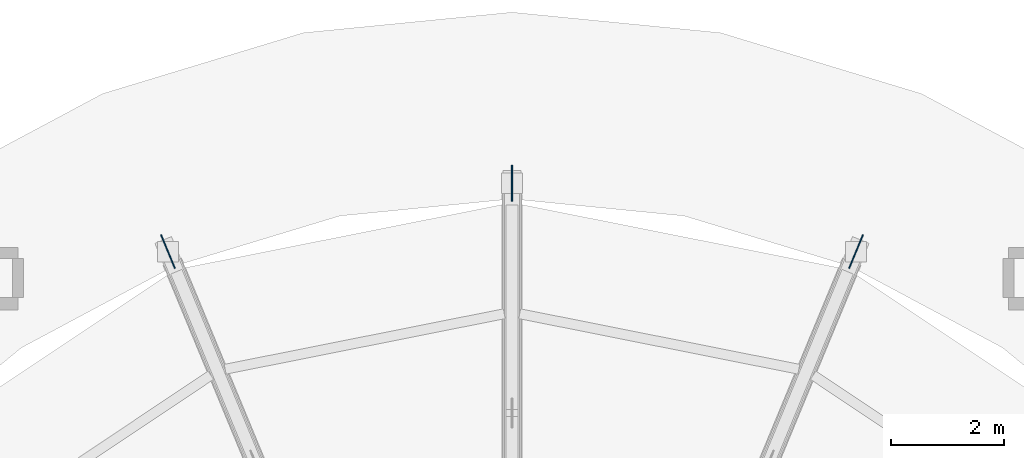
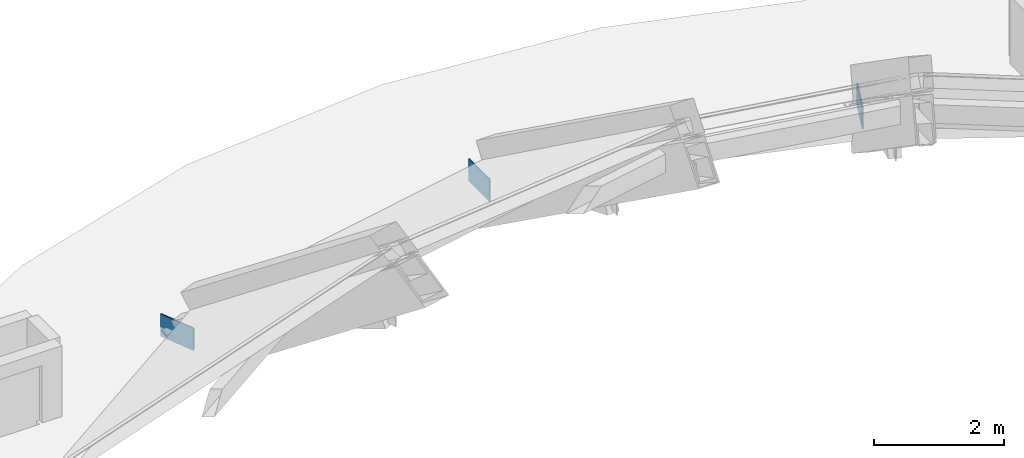
# One storey, part 30 of 58: 3 plates.
"""IFC4 building model written with IfcOpenShell, lengths in metres."""

from ifc_helpers import new_model, si_unit, direction, frame, origin, origin_2d, place, context, subcontext, project, spatial, rectangle, extrude, material, layer, layer_set, type_object, element, save


model = new_model("IFC4")

# Units and contexts
model_context = context("Model", 3, precision=1e-05, world=origin(), true_north=direction((0.0, 1.0)))
body_context = subcontext(model_context, "Body", "Model", "MODEL_VIEW")
ifc_project = project(units=[si_unit("LENGTHUNIT", "METRE"), si_unit("AREAUNIT", "SQUARE_METRE"), si_unit("VOLUMEUNIT", "CUBIC_METRE"), si_unit("PLANEANGLEUNIT", "RADIAN"), si_unit("MASSUNIT", "GRAM", prefix="KILO")], contexts=[model_context])

# Site, building, storey
site_placement = place(None, origin())
site = spatial("IfcSite", under=ifc_project, at=site_placement, CompositionType="ELEMENT")
building_placement = place(site_placement, origin())
building = spatial("IfcBuilding", under=site, at=building_placement, Name="Aldenvaro Health Centre", CompositionType="ELEMENT")
storey_placement = place(building_placement, frame((0.0, 0.0, 8.75)))
storey = spatial("IfcBuildingStorey", under=building, at=storey_placement, Name="L02", CompositionType="ELEMENT", Elevation=8.75)

# Plates
ifc_material = material(Name="Steel ASTM A572 Grade 50", Category="steel")
ifc_layer = layer(ifc_material, 0.02001953125, Name="Steel ASTM A572 Grade 50", Category="steel")
ifc_layer_set = layer_set([ifc_layer], Name="Steel ASTM A572 Grade 50")
plate_type = type_object("IfcPlateType", Name="PLT-GUS-01", PredefinedType="SHEET", material=ifc_layer_set)
for number, where, z_axis, x_axis, name in (
    (1, (93.076904296875, 34.6708984375, 0.239990234375), (0.0, 0.0, 1.0), (0.382683432365, 0.923879532511, 0.0), "Truss Gusset Plate 04.1"),
    (2, (87.0, 35.8798828125, 0.239990234375), (0.0, 0.0, 1.0), (0.0, 1.0, 0.0), "Truss Gusset Plate 05.1"),
    (3, (80.923095703125, 34.6708984375, 0.239990234375), (0.0, 0.0, 1.0), (-0.382683432365, 0.923879532511, 0.0), "Truss Gusset Plate 06.1"),
):
    element("IfcPlate", number, at=place(storey_placement, frame(where, z_axis=z_axis, x_axis=x_axis)), inside=storey, type_object=plate_type, Name=name, PredefinedType="SHEET", context=body_context, shape_type="SweptSolid", body=[
        extrude(rectangle(XDim=0.639892578125, YDim=0.02001953125, at=origin_2d()), origin(), (0.0, 0.0, 1.0), 0.419921875),
    ])

save(model, "model.ifc")
